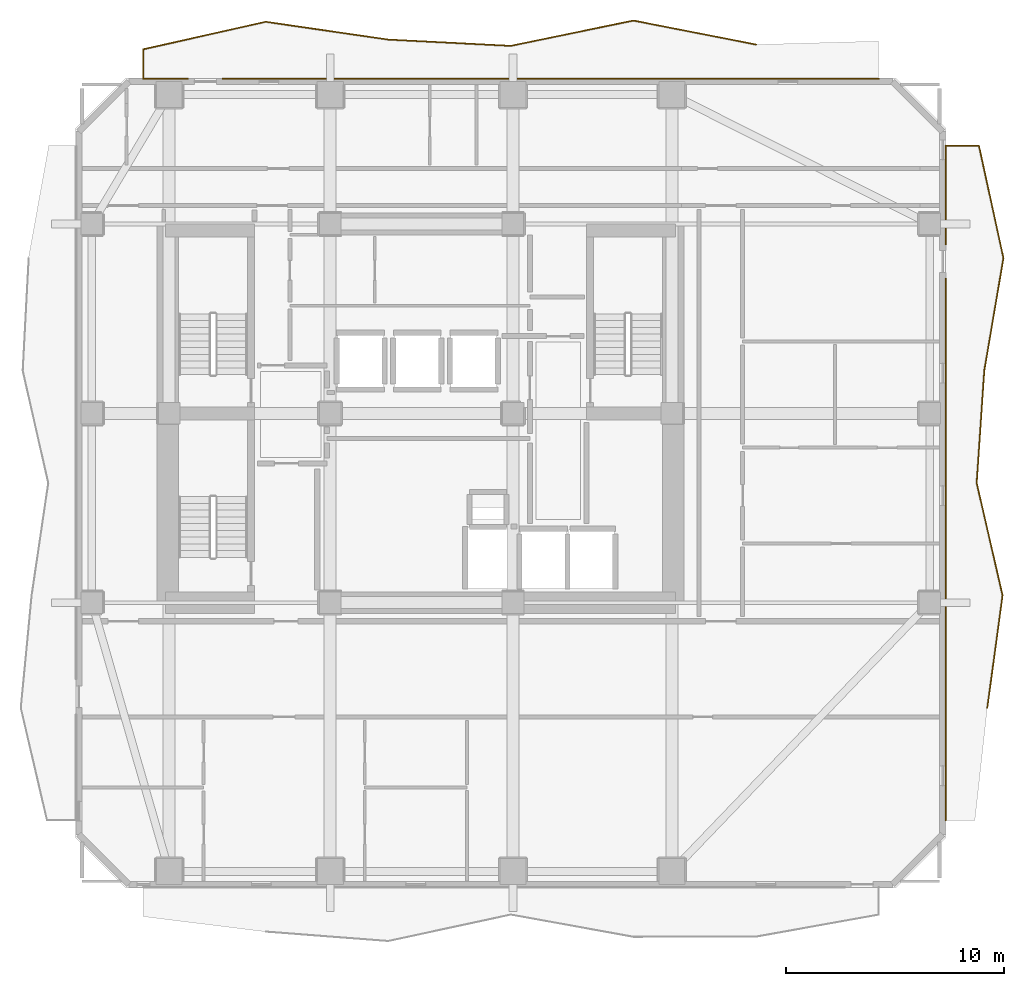
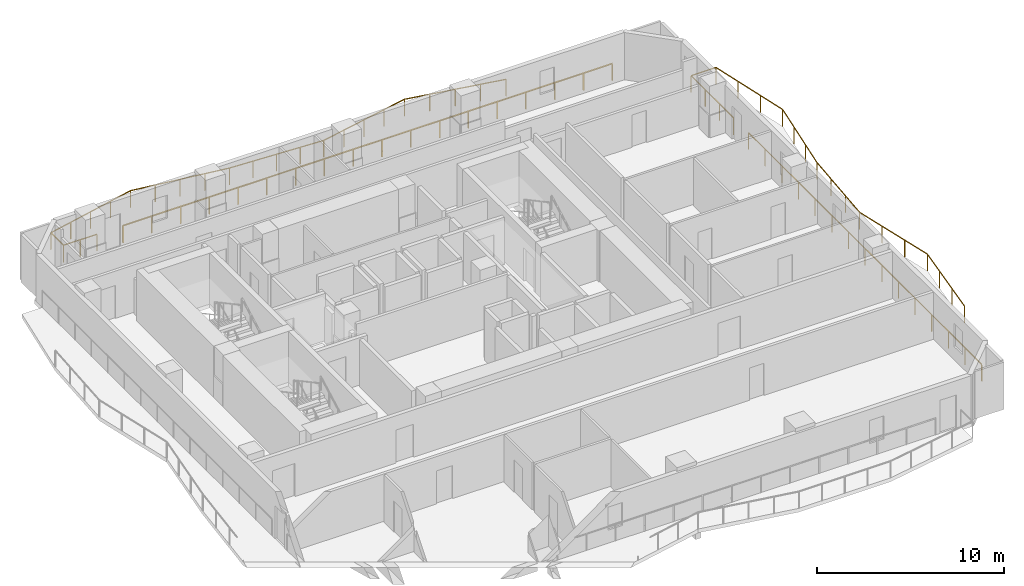
# One storey, part 9 of 9: 4 railings.
"""IFC4 building model written with IfcOpenShell, lengths in metres."""

from ifc_helpers import new_model, si_unit, direction, frame, origin, origin_2d, place, context, subcontext, project, spatial, rectangle, extrude, material, type_object, element, save


model = new_model("IFC4")

# Units and contexts
model_context = context("Model", 3, precision=1e-05, world=origin(), true_north=direction((0.0, 1.0)))
body_context = subcontext(model_context, "Body", "Model", "MODEL_VIEW")
ifc_project = project(units=[si_unit("LENGTHUNIT", "METRE"), si_unit("AREAUNIT", "SQUARE_METRE"), si_unit("VOLUMEUNIT", "CUBIC_METRE"), si_unit("PLANEANGLEUNIT", "RADIAN"), si_unit("MASSUNIT", "GRAM", prefix="KILO")], contexts=[model_context])

# Site, building, storey
site_placement = place(None, origin())
site = spatial("IfcSite", under=ifc_project, at=site_placement, CompositionType="ELEMENT")
building_placement = place(site_placement, origin())
building = spatial("IfcBuilding", under=site, at=building_placement, Name="Solanera Arch Residences", CompositionType="ELEMENT")
storey_placement = place(building_placement, frame((0.0, 0.0, 139.280029296875)))
storey = spatial("IfcBuildingStorey", under=building, at=storey_placement, Name="L40", CompositionType="ELEMENT", Elevation=139.280029296875)

# Railings
ifc_material = material(Name="Steel S355 (ASTM A992 / A572 Grade 50)", Category="steel")
railing_type = type_object("IfcRailingType", Name="Balustrade Railing BL-1100", PredefinedType="BALUSTRADE", material=ifc_material)
railing_1_placement = place(storey_placement, frame((40.366943359375, 47.64599609375, 0.0)))
element("IfcRailing", 1, at=railing_1_placement, inside=storey, type_object=railing_type, Name="L40 N Balcony Balustrade 1", PredefinedType="BALUSTRADE", context=body_context, shape_type="SweptSolid", body=[
    extrude(rectangle(XDim=0.048095703125, YDim=0.048095703125, at=origin_2d()), frame((0.0, 0.0, 1.09619140625), z_axis=(-0.981369129559, 0.192131807746, 0.0), x_axis=(-0.192131807746, -0.981369129559, 0.0)), (0.0, 0.0, 1.0), 5.740966796875),
    extrude(rectangle(XDim=0.048095703125, YDim=0.048095703125, at=origin_2d()), frame((-5.634033203125, 1.10302734375, 1.09619140625), z_axis=(-0.979340493928, -0.202218191447, 0.0), x_axis=(0.202218191447, -0.979340493928, 0.0)), (0.0, 0.0, 1.0), 5.751708984375),
    extrude(rectangle(XDim=0.048095703125, YDim=0.048095703125, at=origin_2d()), frame((-11.266845703125, -0.06005859375, 1.09619140625), z_axis=(-0.998694806263, 0.051075277224, 0.0), x_axis=(-0.051075277224, -0.998694806263, 0.0)), (0.0, 0.0, 1.0), 5.640380859375),
    extrude(rectangle(XDim=0.048095703125, YDim=0.048095703125, at=origin_2d()), frame((-16.89990234375, 0.22802734375, 1.09619140625), z_axis=(-0.989627048404, 0.143660380992, 0.0), x_axis=(-0.143660380992, -0.989627048404, 0.0)), (0.0, 0.0, 1.0), 5.693115234375),
    extrude(rectangle(XDim=0.048095703125, YDim=0.048095703125, at=origin_2d()), frame((-22.533935546875, 1.0458984375, 1.09619140625), z_axis=(-0.975631711015, -0.219414594914, 0.0), x_axis=(0.219414594914, -0.975631711015, 0.0)), (0.0, 0.0, 1.0), 5.773681640625),
    extrude(rectangle(XDim=0.048095703125, YDim=0.048095703125, at=origin_2d()), frame((-28.1669921875, -0.220947265625, 1.09619140625), z_axis=(0.0, -1.0, 0.0), x_axis=(1.0, 0.0, 0.0)), (0.0, 0.0, 1.0), 1.344970703125),
    extrude(rectangle(XDim=0.048095703125, YDim=0.048095703125, at=origin_2d()), frame((-28.1669921875, -1.56591796875, 1.09619140625), z_axis=(1.0, 0.0, 0.0), x_axis=(0.0, 1.0, 0.0)), (0.0, 0.0, 1.0), 2.06396484375),
    extrude(rectangle(XDim=0.0419921875, YDim=0.0419921875, at=origin_2d()), origin(), (0.0, 0.0, 1.0), 1.072021484375),
    extrude(rectangle(XDim=0.0419921875, YDim=0.0419921875, at=origin_2d()), frame((-1.408447265625, 0.27587890625, 0.0)), (0.0, 0.0, 1.0), 1.072021484375),
    extrude(rectangle(XDim=0.0419921875, YDim=0.0419921875, at=origin_2d()), frame((-2.81689453125, 0.551513671875, 0.0)), (0.0, 0.0, 1.0), 1.072021484375),
    extrude(rectangle(XDim=0.0419921875, YDim=0.0419921875, at=origin_2d()), frame((-4.2255859375, 0.8271484375, 0.0)), (0.0, 0.0, 1.0), 1.072021484375),
    extrude(rectangle(XDim=0.0419921875, YDim=0.0419921875, at=origin_2d()), frame((-5.634033203125, 1.10302734375, 0.0)), (0.0, 0.0, 1.0), 1.072021484375),
    extrude(rectangle(XDim=0.0419921875, YDim=0.0419921875, at=origin_2d()), frame((-7.042236328125, 0.812255859375, 0.0)), (0.0, 0.0, 1.0), 1.072021484375),
    extrude(rectangle(XDim=0.0419921875, YDim=0.0419921875, at=origin_2d()), frame((-8.450439453125, 0.521484375, 0.0)), (0.0, 0.0, 1.0), 1.072021484375),
    extrude(rectangle(XDim=0.0419921875, YDim=0.0419921875, at=origin_2d()), frame((-9.858642578125, 0.230712890625, 0.0)), (0.0, 0.0, 1.0), 1.072021484375),
    extrude(rectangle(XDim=0.0419921875, YDim=0.0419921875, at=origin_2d()), frame((-11.266845703125, -0.06005859375, 0.0)), (0.0, 0.0, 1.0), 1.072021484375),
    extrude(rectangle(XDim=0.0419921875, YDim=0.0419921875, at=origin_2d()), frame((-12.675048828125, 0.011962890625, 0.0)), (0.0, 0.0, 1.0), 1.072021484375),
    extrude(rectangle(XDim=0.0419921875, YDim=0.0419921875, at=origin_2d()), frame((-14.08349609375, 0.083984375, 0.0)), (0.0, 0.0, 1.0), 1.072021484375),
    extrude(rectangle(XDim=0.0419921875, YDim=0.0419921875, at=origin_2d()), frame((-15.49169921875, 0.156005859375, 0.0)), (0.0, 0.0, 1.0), 1.072021484375),
    extrude(rectangle(XDim=0.0419921875, YDim=0.0419921875, at=origin_2d()), frame((-16.89990234375, 0.22802734375, 0.0)), (0.0, 0.0, 1.0), 1.072021484375),
    extrude(rectangle(XDim=0.0419921875, YDim=0.0419921875, at=origin_2d()), frame((-18.308349609375, 0.4326171875, 0.0)), (0.0, 0.0, 1.0), 1.072021484375),
    extrude(rectangle(XDim=0.0419921875, YDim=0.0419921875, at=origin_2d()), frame((-19.716796875, 0.636962890625, 0.0)), (0.0, 0.0, 1.0), 1.072021484375),
    extrude(rectangle(XDim=0.0419921875, YDim=0.0419921875, at=origin_2d()), frame((-21.12548828125, 0.84130859375, 0.0)), (0.0, 0.0, 1.0), 1.072021484375),
    extrude(rectangle(XDim=0.0419921875, YDim=0.0419921875, at=origin_2d()), frame((-22.533935546875, 1.0458984375, 0.0)), (0.0, 0.0, 1.0), 1.072021484375),
    extrude(rectangle(XDim=0.0419921875, YDim=0.0419921875, at=origin_2d()), frame((-23.942138671875, 0.729248046875, 0.0)), (0.0, 0.0, 1.0), 1.072021484375),
    extrude(rectangle(XDim=0.0419921875, YDim=0.0419921875, at=origin_2d()), frame((-25.3505859375, 0.41259765625, 0.0)), (0.0, 0.0, 1.0), 1.072021484375),
    extrude(rectangle(XDim=0.0419921875, YDim=0.0419921875, at=origin_2d()), frame((-26.7587890625, 0.095703125, 0.0)), (0.0, 0.0, 1.0), 1.072021484375),
    extrude(rectangle(XDim=0.0419921875, YDim=0.0419921875, at=origin_2d()), frame((-28.1669921875, -0.220947265625, 0.0)), (0.0, 0.0, 1.0), 1.072021484375),
    extrude(rectangle(XDim=0.0419921875, YDim=0.0419921875, at=origin_2d()), frame((-28.1669921875, -1.56591796875, 0.0)), (0.0, 0.0, 1.0), 1.072021484375),
    extrude(rectangle(XDim=0.0419921875, YDim=0.0419921875, at=origin_2d()), frame((-27.135009765625, -1.56591796875, 0.0)), (0.0, 0.0, 1.0), 1.072021484375),
    extrude(rectangle(XDim=0.0419921875, YDim=0.0419921875, at=origin_2d()), frame((-26.10302734375, -1.56591796875, 0.0)), (0.0, 0.0, 1.0), 1.072021484375),
])
railing_2_placement = place(storey_placement, frame((15.864013671875, 46.080078125, 0.0)))
element("IfcRailing", 2, at=railing_2_placement, inside=storey, type_object=railing_type, Name="L40 N Balcony Balustrade 2", PredefinedType="BALUSTRADE", context=body_context, shape_type="SweptSolid", body=[
    extrude(rectangle(XDim=0.048095703125, YDim=0.048095703125, at=origin_2d()), frame((0.0, 0.0, 1.09619140625), z_axis=(1.0, 0.0, 0.0), x_axis=(0.0, 1.0, 0.0)), (0.0, 0.0, 1.0), 30.135986328125),
    extrude(rectangle(XDim=0.0419921875, YDim=0.0419921875, at=origin_2d()), origin(), (0.0, 0.0, 1.0), 1.072021484375),
    extrude(rectangle(XDim=0.0419921875, YDim=0.0419921875, at=origin_2d()), frame((1.772705078125, 0.0, 0.0)), (0.0, 0.0, 1.0), 1.072021484375),
    extrude(rectangle(XDim=0.0419921875, YDim=0.0419921875, at=origin_2d()), frame((3.54541015625, 0.0, 0.0)), (0.0, 0.0, 1.0), 1.072021484375),
    extrude(rectangle(XDim=0.0419921875, YDim=0.0419921875, at=origin_2d()), frame((5.318115234375, 0.0, 0.0)), (0.0, 0.0, 1.0), 1.072021484375),
    extrude(rectangle(XDim=0.0419921875, YDim=0.0419921875, at=origin_2d()), frame((7.0908203125, 0.0, 0.0)), (0.0, 0.0, 1.0), 1.072021484375),
    extrude(rectangle(XDim=0.0419921875, YDim=0.0419921875, at=origin_2d()), frame((8.863525390625, 0.0, 0.0)), (0.0, 0.0, 1.0), 1.072021484375),
    extrude(rectangle(XDim=0.0419921875, YDim=0.0419921875, at=origin_2d()), frame((10.63623046875, 0.0, 0.0)), (0.0, 0.0, 1.0), 1.072021484375),
    extrude(rectangle(XDim=0.0419921875, YDim=0.0419921875, at=origin_2d()), frame((12.408935546875, 0.0, 0.0)), (0.0, 0.0, 1.0), 1.072021484375),
    extrude(rectangle(XDim=0.0419921875, YDim=0.0419921875, at=origin_2d()), frame((14.181640625, 0.0, 0.0)), (0.0, 0.0, 1.0), 1.072021484375),
    extrude(rectangle(XDim=0.0419921875, YDim=0.0419921875, at=origin_2d()), frame((15.954345703125, 0.0, 0.0)), (0.0, 0.0, 1.0), 1.072021484375),
    extrude(rectangle(XDim=0.0419921875, YDim=0.0419921875, at=origin_2d()), frame((17.72705078125, 0.0, 0.0)), (0.0, 0.0, 1.0), 1.072021484375),
    extrude(rectangle(XDim=0.0419921875, YDim=0.0419921875, at=origin_2d()), frame((19.499755859375, 0.0, 0.0)), (0.0, 0.0, 1.0), 1.072021484375),
    extrude(rectangle(XDim=0.0419921875, YDim=0.0419921875, at=origin_2d()), frame((21.2724609375, 0.0, 0.0)), (0.0, 0.0, 1.0), 1.072021484375),
    extrude(rectangle(XDim=0.0419921875, YDim=0.0419921875, at=origin_2d()), frame((23.045166015625, 0.0, 0.0)), (0.0, 0.0, 1.0), 1.072021484375),
    extrude(rectangle(XDim=0.0419921875, YDim=0.0419921875, at=origin_2d()), frame((24.81787109375, 0.0, 0.0)), (0.0, 0.0, 1.0), 1.072021484375),
    extrude(rectangle(XDim=0.0419921875, YDim=0.0419921875, at=origin_2d()), frame((26.590576171875, 0.0, 0.0)), (0.0, 0.0, 1.0), 1.072021484375),
    extrude(rectangle(XDim=0.0419921875, YDim=0.0419921875, at=origin_2d()), frame((28.36328125, 0.0, 0.0)), (0.0, 0.0, 1.0), 1.072021484375),
    extrude(rectangle(XDim=0.0419921875, YDim=0.0419921875, at=origin_2d()), frame((30.135986328125, 0.0, 0.0)), (0.0, 0.0, 1.0), 1.072021484375),
])
railing_3_placement = place(storey_placement, frame((50.993896484375, 17.1669921875, 0.0)))
element("IfcRailing", 3, at=railing_3_placement, inside=storey, type_object=railing_type, Name="L40 E Balcony Balustrade 1", PredefinedType="BALUSTRADE", context=body_context, shape_type="SweptSolid", body=[
    extrude(rectangle(XDim=0.048095703125, YDim=0.048095703125, at=origin_2d()), frame((0.0, 0.0, 1.09619140625), z_axis=(0.134678532818, 0.990889344376, 0.0), x_axis=(-0.990889344376, 0.134678532818, 0.0)), (0.0, 0.0, 1.0), 5.213623046875),
    extrude(rectangle(XDim=0.048095703125, YDim=0.048095703125, at=origin_2d()), frame((0.7021484375, 5.166015625, 1.09619140625), z_axis=(-0.22442231722, 0.974491982283, 0.0), x_axis=(-0.974491982283, -0.22442231722, 0.0)), (0.0, 0.0, 1.0), 5.30224609375),
    extrude(rectangle(XDim=0.048095703125, YDim=0.048095703125, at=origin_2d()), frame((-0.48779296875, 10.3330078125, 1.09619140625), z_axis=(0.067554640915, 0.997715575949, 0.0), x_axis=(-0.997715575949, 0.067554640915, 0.0)), (0.0, 0.0, 1.0), 5.1787109375),
    extrude(rectangle(XDim=0.048095703125, YDim=0.048095703125, at=origin_2d()), frame((-0.137939453125, 15.5, 1.09619140625), z_axis=(0.167948660421, 0.985795743277, 0.0), x_axis=(-0.985795743277, 0.167948660421, 0.0)), (0.0, 0.0, 1.0), 5.240478515625),
    extrude(rectangle(XDim=0.048095703125, YDim=0.048095703125, at=origin_2d()), frame((0.7421875, 20.666015625, 1.09619140625), z_axis=(-0.213316893244, 0.976983061807, 0.0), x_axis=(-0.976983061807, -0.213316893244, 0.0)), (0.0, 0.0, 1.0), 5.288818359375),
    extrude(rectangle(XDim=0.048095703125, YDim=0.048095703125, at=origin_2d()), frame((-0.385986328125, 25.8330078125, 1.09619140625), z_axis=(-1.0, 0.0, 0.0), x_axis=(0.0, -1.0, 0.0)), (0.0, 0.0, 1.0), 1.52783203125),
    extrude(rectangle(XDim=0.048095703125, YDim=0.048095703125, at=origin_2d()), frame((-1.913818359375, 25.8330078125, 1.09619140625), z_axis=(0.0, -1.0, 0.0), x_axis=(1.0, 0.0, 0.0)), (0.0, 0.0, 1.0), 4.52197265625),
    extrude(rectangle(XDim=0.0419921875, YDim=0.0419921875, at=origin_2d()), origin(), (0.0, 0.0, 1.0), 1.072021484375),
    extrude(rectangle(XDim=0.0419921875, YDim=0.0419921875, at=origin_2d()), frame((0.234130859375, 1.721923828125, 0.0)), (0.0, 0.0, 1.0), 1.072021484375),
    extrude(rectangle(XDim=0.0419921875, YDim=0.0419921875, at=origin_2d()), frame((0.468017578125, 3.444091796875, 0.0)), (0.0, 0.0, 1.0), 1.072021484375),
    extrude(rectangle(XDim=0.0419921875, YDim=0.0419921875, at=origin_2d()), frame((0.7021484375, 5.166015625, 0.0)), (0.0, 0.0, 1.0), 1.072021484375),
    extrude(rectangle(XDim=0.0419921875, YDim=0.0419921875, at=origin_2d()), frame((0.305419921875, 6.888427734375, 0.0)), (0.0, 0.0, 1.0), 1.072021484375),
    extrude(rectangle(XDim=0.0419921875, YDim=0.0419921875, at=origin_2d()), frame((-0.091064453125, 8.610595703125, 0.0)), (0.0, 0.0, 1.0), 1.072021484375),
    extrude(rectangle(XDim=0.0419921875, YDim=0.0419921875, at=origin_2d()), frame((-0.48779296875, 10.3330078125, 0.0)), (0.0, 0.0, 1.0), 1.072021484375),
    extrude(rectangle(XDim=0.0419921875, YDim=0.0419921875, at=origin_2d()), frame((-0.37109375, 12.055419921875, 0.0)), (0.0, 0.0, 1.0), 1.072021484375),
    extrude(rectangle(XDim=0.0419921875, YDim=0.0419921875, at=origin_2d()), frame((-0.254638671875, 13.777587890625, 0.0)), (0.0, 0.0, 1.0), 1.072021484375),
    extrude(rectangle(XDim=0.0419921875, YDim=0.0419921875, at=origin_2d()), frame((-0.137939453125, 15.5, 0.0)), (0.0, 0.0, 1.0), 1.072021484375),
    extrude(rectangle(XDim=0.0419921875, YDim=0.0419921875, at=origin_2d()), frame((0.155517578125, 17.221923828125, 0.0)), (0.0, 0.0, 1.0), 1.072021484375),
    extrude(rectangle(XDim=0.0419921875, YDim=0.0419921875, at=origin_2d()), frame((0.44873046875, 18.944091796875, 0.0)), (0.0, 0.0, 1.0), 1.072021484375),
    extrude(rectangle(XDim=0.0419921875, YDim=0.0419921875, at=origin_2d()), frame((0.7421875, 20.666015625, 0.0)), (0.0, 0.0, 1.0), 1.072021484375),
    extrude(rectangle(XDim=0.0419921875, YDim=0.0419921875, at=origin_2d()), frame((0.3662109375, 22.388427734375, 0.0)), (0.0, 0.0, 1.0), 1.072021484375),
    extrude(rectangle(XDim=0.0419921875, YDim=0.0419921875, at=origin_2d()), frame((-0.010009765625, 24.110595703125, 0.0)), (0.0, 0.0, 1.0), 1.072021484375),
    extrude(rectangle(XDim=0.0419921875, YDim=0.0419921875, at=origin_2d()), frame((-0.385986328125, 25.8330078125, 0.0)), (0.0, 0.0, 1.0), 1.072021484375),
    extrude(rectangle(XDim=0.0419921875, YDim=0.0419921875, at=origin_2d()), frame((-1.913818359375, 25.8330078125, 0.0)), (0.0, 0.0, 1.0), 1.072021484375),
    extrude(rectangle(XDim=0.0419921875, YDim=0.0419921875, at=origin_2d()), frame((-1.913818359375, 24.32568359375, 0.0)), (0.0, 0.0, 1.0), 1.072021484375),
    extrude(rectangle(XDim=0.0419921875, YDim=0.0419921875, at=origin_2d()), frame((-1.913818359375, 22.818359375, 0.0)), (0.0, 0.0, 1.0), 1.072021484375),
    extrude(rectangle(XDim=0.0419921875, YDim=0.0419921875, at=origin_2d()), frame((-1.913818359375, 21.31103515625, 0.0)), (0.0, 0.0, 1.0), 1.072021484375),
])
railing_4_placement = place(storey_placement, frame((49.080078125, 36.8779296875, 0.0)))
element("IfcRailing", 4, at=railing_4_placement, inside=storey, type_object=railing_type, Name="L40 E Balcony Balustrade 2", PredefinedType="BALUSTRADE", context=body_context, shape_type="SweptSolid", body=[
    extrude(rectangle(XDim=0.048095703125, YDim=0.048095703125, at=origin_2d()), frame((0.0, 0.0, 1.09619140625), z_axis=(0.0, -1.0, 0.0), x_axis=(1.0, 0.0, 0.0)), (0.0, 0.0, 1.0), 24.8779296875),
    extrude(rectangle(XDim=0.0419921875, YDim=0.0419921875, at=origin_2d()), origin(), (0.0, 0.0, 1.0), 1.072021484375),
    extrude(rectangle(XDim=0.0419921875, YDim=0.0419921875, at=origin_2d()), frame((0.0, -1.777099609375, 0.0)), (0.0, 0.0, 1.0), 1.072021484375),
    extrude(rectangle(XDim=0.0419921875, YDim=0.0419921875, at=origin_2d()), frame((0.0, -3.553955078125, 0.0)), (0.0, 0.0, 1.0), 1.072021484375),
    extrude(rectangle(XDim=0.0419921875, YDim=0.0419921875, at=origin_2d()), frame((0.0, -5.3310546875, 0.0)), (0.0, 0.0, 1.0), 1.072021484375),
    extrude(rectangle(XDim=0.0419921875, YDim=0.0419921875, at=origin_2d()), frame((0.0, -7.10791015625, 0.0)), (0.0, 0.0, 1.0), 1.072021484375),
    extrude(rectangle(XDim=0.0419921875, YDim=0.0419921875, at=origin_2d()), frame((0.0, -8.885009765625, 0.0)), (0.0, 0.0, 1.0), 1.072021484375),
    extrude(rectangle(XDim=0.0419921875, YDim=0.0419921875, at=origin_2d()), frame((0.0, -10.661865234375, 0.0)), (0.0, 0.0, 1.0), 1.072021484375),
    extrude(rectangle(XDim=0.0419921875, YDim=0.0419921875, at=origin_2d()), frame((0.0, -12.43896484375, 0.0)), (0.0, 0.0, 1.0), 1.072021484375),
    extrude(rectangle(XDim=0.0419921875, YDim=0.0419921875, at=origin_2d()), frame((0.0, -14.216064453125, 0.0)), (0.0, 0.0, 1.0), 1.072021484375),
    extrude(rectangle(XDim=0.0419921875, YDim=0.0419921875, at=origin_2d()), frame((0.0, -15.992919921875, 0.0)), (0.0, 0.0, 1.0), 1.072021484375),
    extrude(rectangle(XDim=0.0419921875, YDim=0.0419921875, at=origin_2d()), frame((0.0, -17.77001953125, 0.0)), (0.0, 0.0, 1.0), 1.072021484375),
    extrude(rectangle(XDim=0.0419921875, YDim=0.0419921875, at=origin_2d()), frame((0.0, -19.546875, 0.0)), (0.0, 0.0, 1.0), 1.072021484375),
    extrude(rectangle(XDim=0.0419921875, YDim=0.0419921875, at=origin_2d()), frame((0.0, -21.323974609375, 0.0)), (0.0, 0.0, 1.0), 1.072021484375),
    extrude(rectangle(XDim=0.0419921875, YDim=0.0419921875, at=origin_2d()), frame((0.0, -23.100830078125, 0.0)), (0.0, 0.0, 1.0), 1.072021484375),
    extrude(rectangle(XDim=0.0419921875, YDim=0.0419921875, at=origin_2d()), frame((0.0, -24.8779296875, 0.0)), (0.0, 0.0, 1.0), 1.072021484375),
])

save(model, "model.ifc")
